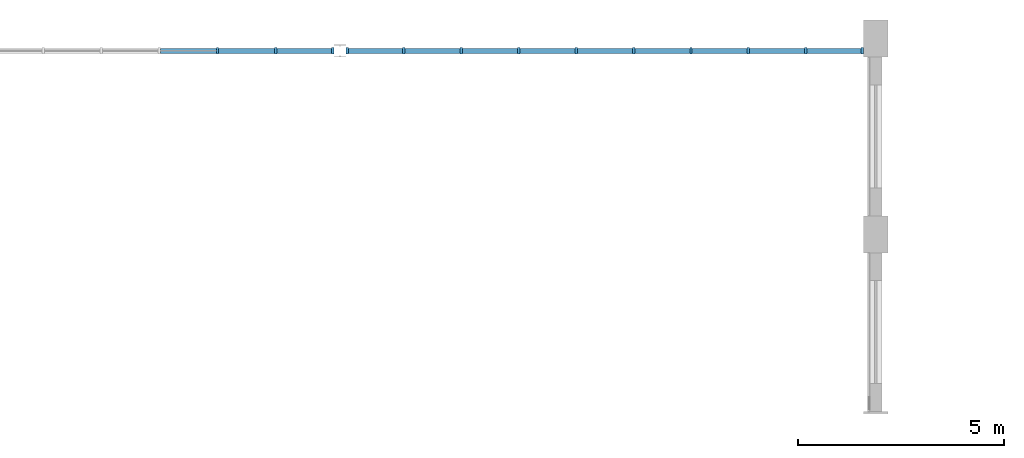
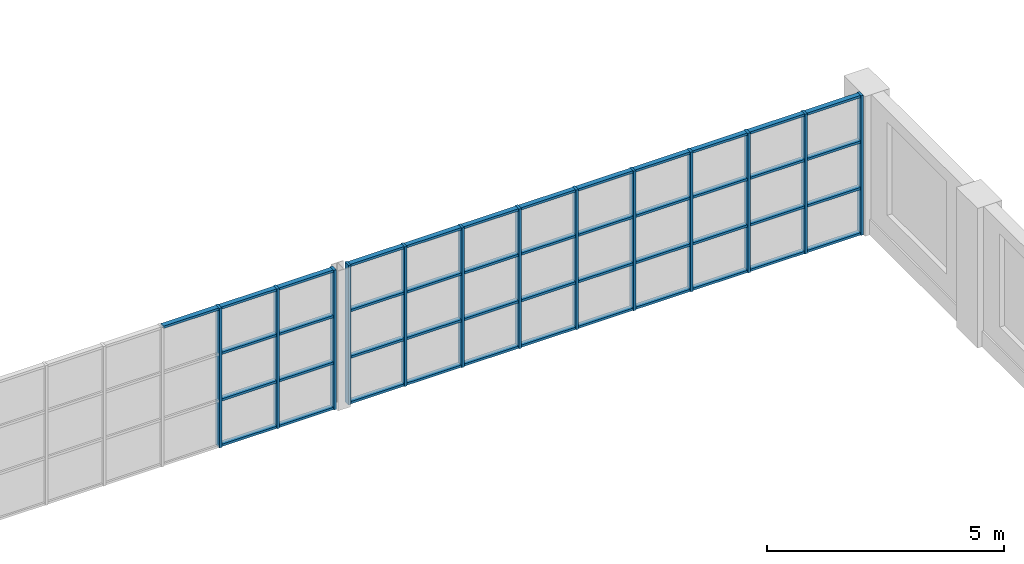
# One storey, part 12 of 70: 58 members, 2 elements without a shape of their own.
"""IFC4 building model written with IfcOpenShell, lengths in metres."""

from ifc_helpers import new_model, si_unit, direction, frame, origin, origin_2d, place, context, subcontext, project, spatial, rectangle, extrude, material, material_profile, profile_set, type_object, element, aggregate, save


model = new_model("IFC4")

# Units and contexts
model_context = context("Model", 3, precision=1e-05, world=origin(), true_north=direction((0.0, 1.0)))
body_context = subcontext(model_context, "Body", "Model", "MODEL_VIEW")
ifc_project = project(units=[si_unit("LENGTHUNIT", "METRE"), si_unit("AREAUNIT", "SQUARE_METRE"), si_unit("VOLUMEUNIT", "CUBIC_METRE"), si_unit("PLANEANGLEUNIT", "RADIAN"), si_unit("MASSUNIT", "GRAM", prefix="KILO")], contexts=[model_context])

# Site, building, storey
site_placement = place(None, origin())
site = spatial("IfcSite", under=ifc_project, at=site_placement, CompositionType="ELEMENT")
building_placement = place(site_placement, origin())
building = spatial("IfcBuilding", under=site, at=building_placement, Name="Elbe Cascade School", CompositionType="ELEMENT")
storey_placement = place(building_placement, frame((0.0, 0.0, 8.10009765625)))
storey = spatial("IfcBuildingStorey", under=building, at=storey_placement, Name="L02", CompositionType="ELEMENT", Elevation=8.10009765625)

# Curtain wall, members
ifc_material_1 = material(Name="Glass - double glazed low-E", Category="glass")
curtain_wall_type = type_object("IfcCurtainWallType", Name="Hall gable curtain wall", PredefinedType="NOTDEFINED", material=ifc_material_1)
curtain_wall_1_placement = place(storey_placement, origin())
curtain_wall_1 = element("IfcCurtainWall", 1, at=curtain_wall_1_placement, inside=storey, type_object=curtain_wall_type, Name="Gable curtain wall N3", PredefinedType="NOTDEFINED")
ifc_material_2 = material(Name="Aluminium - bronze anodised", Category="aluminium")
ifc_material_profile_1 = material_profile(ifc_material_2, rectangle(XDim=0.159912109375, YDim=0.06005859375, at=origin_2d()), Name="Alu 60x160")
ifc_profile_set_1 = profile_set([ifc_material_profile_1], Name="Aluminium - bronze anodised")
member_type_1 = type_object("IfcMemberType", Name="Hall gable mullion 60x160", PredefinedType="MULLION", material=ifc_profile_set_1)
member_1_placement = place(storey_placement, frame((44.02783203125, 69.199951171875, 0.0), z_axis=(0.0, 0.0, 1.0), x_axis=(0.0, 1.0, 0.0)))
member_1 = element("IfcMember", 2, at=member_1_placement, type_object=member_type_1, Name="CW6 mullion 8", PredefinedType="MULLION", context=body_context, shape_type="SweptSolid", body=[
    extrude(rectangle(XDim=0.159912109375, YDim=0.06005859375, at=origin_2d()), origin(), (0.0, 0.0, 1.0), 3.599853515625),
])
member_2_placement = place(storey_placement, frame((45.43896484375, 69.199951171875, 0.0), z_axis=(0.0, 0.0, 1.0), x_axis=(0.0, 1.0, 0.0)))
member_2 = element("IfcMember", 3, at=member_2_placement, type_object=member_type_1, Name="CW6 mullion 9", PredefinedType="MULLION", context=body_context, shape_type="SweptSolid", body=[
    extrude(rectangle(XDim=0.159912109375, YDim=0.06005859375, at=origin_2d()), origin(), (0.0, 0.0, 1.0), 3.599853515625),
])
member_3_placement = place(storey_placement, frame((46.820068359375, 69.199951171875, 0.0), z_axis=(0.0, 0.0, 1.0), x_axis=(0.0, 1.0, 0.0)))
member_3 = element("IfcMember", 4, at=member_3_placement, type_object=member_type_1, Name="CW6 mullion 10", PredefinedType="MULLION", context=body_context, shape_type="SweptSolid", body=[
    extrude(rectangle(XDim=0.159912109375, YDim=0.06005859375, at=origin_2d()), origin(), (0.0, 0.0, 1.0), 3.599853515625),
])

curtain_wall_2_placement = place(storey_placement, origin())
curtain_wall_2 = element("IfcCurtainWall", 5, at=curtain_wall_2_placement, inside=storey, type_object=curtain_wall_type, Name="Gable curtain wall N4", PredefinedType="NOTDEFINED")
member_4_placement = place(storey_placement, frame((47.179931640625, 69.199951171875, 0.0), z_axis=(0.0, 0.0, 1.0), x_axis=(0.0, 1.0, 0.0)))
member_4 = element("IfcMember", 6, at=member_4_placement, type_object=member_type_1, Name="CW6 mullion 1", PredefinedType="MULLION", context=body_context, shape_type="SweptSolid", body=[
    extrude(rectangle(XDim=0.159912109375, YDim=0.06005859375, at=origin_2d()), origin(), (0.0, 0.0, 1.0), 3.599853515625),
])
member_5_placement = place(storey_placement, frame((48.54443359375, 69.199951171875, 0.0), z_axis=(0.0, 0.0, 1.0), x_axis=(0.0, 1.0, 0.0)))
member_5 = element("IfcMember", 7, at=member_5_placement, type_object=member_type_1, Name="CW6 mullion 2", PredefinedType="MULLION", context=body_context, shape_type="SweptSolid", body=[
    extrude(rectangle(XDim=0.159912109375, YDim=0.06005859375, at=origin_2d()), origin(), (0.0, 0.0, 1.0), 3.599853515625),
])
member_6_placement = place(storey_placement, frame((49.93896484375, 69.199951171875, 0.0), z_axis=(0.0, 0.0, 1.0), x_axis=(0.0, 1.0, 0.0)))
member_6 = element("IfcMember", 8, at=member_6_placement, type_object=member_type_1, Name="CW6 mullion 3", PredefinedType="MULLION", context=body_context, shape_type="SweptSolid", body=[
    extrude(rectangle(XDim=0.159912109375, YDim=0.06005859375, at=origin_2d()), origin(), (0.0, 0.0, 1.0), 3.599853515625),
])
member_7_placement = place(storey_placement, frame((51.333251953125, 69.199951171875, 0.0), z_axis=(0.0, 0.0, 1.0), x_axis=(0.0, 1.0, 0.0)))
member_7 = element("IfcMember", 9, at=member_7_placement, type_object=member_type_1, Name="CW6 mullion 4", PredefinedType="MULLION", context=body_context, shape_type="SweptSolid", body=[
    extrude(rectangle(XDim=0.159912109375, YDim=0.06005859375, at=origin_2d()), origin(), (0.0, 0.0, 1.0), 3.599853515625),
])
member_8_placement = place(storey_placement, frame((52.727783203125, 69.199951171875, 0.0), z_axis=(0.0, 0.0, 1.0), x_axis=(0.0, 1.0, 0.0)))
member_8 = element("IfcMember", 10, at=member_8_placement, type_object=member_type_1, Name="CW6 mullion 5", PredefinedType="MULLION", context=body_context, shape_type="SweptSolid", body=[
    extrude(rectangle(XDim=0.159912109375, YDim=0.06005859375, at=origin_2d()), origin(), (0.0, 0.0, 1.0), 3.599853515625),
])
member_9_placement = place(storey_placement, frame((54.122314453125, 69.199951171875, 0.0), z_axis=(0.0, 0.0, 1.0), x_axis=(0.0, 1.0, 0.0)))
member_9 = element("IfcMember", 11, at=member_9_placement, type_object=member_type_1, Name="CW6 mullion 6", PredefinedType="MULLION", context=body_context, shape_type="SweptSolid", body=[
    extrude(rectangle(XDim=0.159912109375, YDim=0.06005859375, at=origin_2d()), origin(), (0.0, 0.0, 1.0), 3.599853515625),
])
member_10_placement = place(storey_placement, frame((55.5166015625, 69.199951171875, 0.0), z_axis=(0.0, 0.0, 1.0), x_axis=(0.0, 1.0, 0.0)))
member_10 = element("IfcMember", 12, at=member_10_placement, type_object=member_type_1, Name="CW6 mullion 7", PredefinedType="MULLION", context=body_context, shape_type="SweptSolid", body=[
    extrude(rectangle(XDim=0.159912109375, YDim=0.06005859375, at=origin_2d()), origin(), (0.0, 0.0, 1.0), 3.599853515625),
])
member_11_placement = place(storey_placement, frame((56.9111328125, 69.199951171875, 0.0), z_axis=(0.0, 0.0, 1.0), x_axis=(0.0, 1.0, 0.0)))
member_11 = element("IfcMember", 13, at=member_11_placement, type_object=member_type_1, Name="CW6 mullion 8", PredefinedType="MULLION", context=body_context, shape_type="SweptSolid", body=[
    extrude(rectangle(XDim=0.159912109375, YDim=0.06005859375, at=origin_2d()), origin(), (0.0, 0.0, 1.0), 3.599853515625),
])
member_12_placement = place(storey_placement, frame((58.3056640625, 69.199951171875, 0.0), z_axis=(0.0, 0.0, 1.0), x_axis=(0.0, 1.0, 0.0)))
member_12 = element("IfcMember", 14, at=member_12_placement, type_object=member_type_1, Name="CW6 mullion 9", PredefinedType="MULLION", context=body_context, shape_type="SweptSolid", body=[
    extrude(rectangle(XDim=0.159912109375, YDim=0.06005859375, at=origin_2d()), origin(), (0.0, 0.0, 1.0), 3.599853515625),
])
member_13_placement = place(storey_placement, frame((59.669921875, 69.199951171875, 0.0), z_axis=(0.0, 0.0, 1.0), x_axis=(0.0, 1.0, 0.0)))
member_13 = element("IfcMember", 15, at=member_13_placement, type_object=member_type_1, Name="CW6 mullion 10", PredefinedType="MULLION", context=body_context, shape_type="SweptSolid", body=[
    extrude(rectangle(XDim=0.159912109375, YDim=0.06005859375, at=origin_2d()), origin(), (0.0, 0.0, 1.0), 3.599853515625),
])

# Member
ifc_material_3 = material(Name="Aluminium - bronze anodised", Category="aluminium")
ifc_material_profile_2 = material_profile(ifc_material_3, rectangle(XDim=0.1201171875, YDim=0.06005859375, at=origin_2d()), Name="Alu 60x120")
ifc_profile_set_2 = profile_set([ifc_material_profile_2], Name="Aluminium - bronze anodised")
member_type_2 = type_object("IfcMemberType", Name="Hall gable transom 60x120", PredefinedType="USERDEFINED", material=ifc_profile_set_2)
member_14_placement = place(storey_placement, frame((42.646728515625, 69.199951171875, 3.56982421875), z_axis=(1.0, 0.0, 0.0), x_axis=(0.0, 1.0, 0.0)))
member_14 = element("IfcMember", 16, at=member_14_placement, type_object=member_type_2, Name="CW6 transom 7.4", ObjectType="TRANSOM", PredefinedType="USERDEFINED", context=body_context, shape_type="SweptSolid", body=[
    extrude(rectangle(XDim=0.1201171875, YDim=0.06005859375, at=origin_2d()), origin(), (0.0, 0.0, 1.0), 1.35107421875),
])

member_15_placement = place(storey_placement, frame((44.057861328125, 69.199951171875, 0.02978515625), z_axis=(1.0, 0.0, 0.0), x_axis=(0.0, 1.0, 0.0)))
member_15 = element("IfcMember", 17, at=member_15_placement, type_object=member_type_2, Name="CW6 transom 8.1", ObjectType="TRANSOM", PredefinedType="USERDEFINED", context=body_context, shape_type="SweptSolid", body=[
    extrude(rectangle(XDim=0.1201171875, YDim=0.06005859375, at=origin_2d()), origin(), (0.0, 0.0, 1.0), 1.35107421875),
])

member_16_placement = place(storey_placement, frame((44.057861328125, 69.199951171875, 1.199951171875), z_axis=(1.0, 0.0, 0.0), x_axis=(0.0, 1.0, 0.0)))
member_16 = element("IfcMember", 18, at=member_16_placement, type_object=member_type_2, Name="CW6 transom 8.2", ObjectType="TRANSOM", PredefinedType="USERDEFINED", context=body_context, shape_type="SweptSolid", body=[
    extrude(rectangle(XDim=0.1201171875, YDim=0.06005859375, at=origin_2d()), origin(), (0.0, 0.0, 1.0), 1.35107421875),
])

member_17_placement = place(storey_placement, frame((44.057861328125, 69.199951171875, 2.39990234375), z_axis=(1.0, 0.0, 0.0), x_axis=(0.0, 1.0, 0.0)))
member_17 = element("IfcMember", 19, at=member_17_placement, type_object=member_type_2, Name="CW6 transom 8.3", ObjectType="TRANSOM", PredefinedType="USERDEFINED", context=body_context, shape_type="SweptSolid", body=[
    extrude(rectangle(XDim=0.1201171875, YDim=0.06005859375, at=origin_2d()), origin(), (0.0, 0.0, 1.0), 1.35107421875),
])

member_18_placement = place(storey_placement, frame((44.057861328125, 69.199951171875, 3.56982421875), z_axis=(1.0, 0.0, 0.0), x_axis=(0.0, 1.0, 0.0)))
member_18 = element("IfcMember", 20, at=member_18_placement, type_object=member_type_2, Name="CW6 transom 8.4", ObjectType="TRANSOM", PredefinedType="USERDEFINED", context=body_context, shape_type="SweptSolid", body=[
    extrude(rectangle(XDim=0.1201171875, YDim=0.06005859375, at=origin_2d()), origin(), (0.0, 0.0, 1.0), 1.35107421875),
])

member_19_placement = place(storey_placement, frame((45.468994140625, 69.199951171875, 0.02978515625), z_axis=(1.0, 0.0, 0.0), x_axis=(0.0, 1.0, 0.0)))
member_19 = element("IfcMember", 21, at=member_19_placement, type_object=member_type_2, Name="CW6 transom 9.1", ObjectType="TRANSOM", PredefinedType="USERDEFINED", context=body_context, shape_type="SweptSolid", body=[
    extrude(rectangle(XDim=0.1201171875, YDim=0.06005859375, at=origin_2d()), origin(), (0.0, 0.0, 1.0), 1.321044921875),
])

member_20_placement = place(storey_placement, frame((45.468994140625, 69.199951171875, 1.199951171875), z_axis=(1.0, 0.0, 0.0), x_axis=(0.0, 1.0, 0.0)))
member_20 = element("IfcMember", 22, at=member_20_placement, type_object=member_type_2, Name="CW6 transom 9.2", ObjectType="TRANSOM", PredefinedType="USERDEFINED", context=body_context, shape_type="SweptSolid", body=[
    extrude(rectangle(XDim=0.1201171875, YDim=0.06005859375, at=origin_2d()), origin(), (0.0, 0.0, 1.0), 1.321044921875),
])

member_21_placement = place(storey_placement, frame((45.468994140625, 69.199951171875, 2.39990234375), z_axis=(1.0, 0.0, 0.0), x_axis=(0.0, 1.0, 0.0)))
member_21 = element("IfcMember", 23, at=member_21_placement, type_object=member_type_2, Name="CW6 transom 9.3", ObjectType="TRANSOM", PredefinedType="USERDEFINED", context=body_context, shape_type="SweptSolid", body=[
    extrude(rectangle(XDim=0.1201171875, YDim=0.06005859375, at=origin_2d()), origin(), (0.0, 0.0, 1.0), 1.321044921875),
])

member_22_placement = place(storey_placement, frame((45.468994140625, 69.199951171875, 3.56982421875), z_axis=(1.0, 0.0, 0.0), x_axis=(0.0, 1.0, 0.0)))
member_22 = element("IfcMember", 24, at=member_22_placement, type_object=member_type_2, Name="CW6 transom 9.4", ObjectType="TRANSOM", PredefinedType="USERDEFINED", context=body_context, shape_type="SweptSolid", body=[
    extrude(rectangle(XDim=0.1201171875, YDim=0.06005859375, at=origin_2d()), origin(), (0.0, 0.0, 1.0), 1.321044921875),
])

aggregate(curtain_wall_1, [member_1, member_2, member_3, member_14, member_15, member_16, member_17, member_18, member_19, member_20, member_21, member_22])

member_23_placement = place(storey_placement, frame((47.2099609375, 69.199951171875, 0.02978515625), z_axis=(1.0, 0.0, 0.0), x_axis=(0.0, 1.0, 0.0)))
member_23 = element("IfcMember", 25, at=member_23_placement, type_object=member_type_2, Name="CW6 transom 1.1", ObjectType="TRANSOM", PredefinedType="USERDEFINED", context=body_context, shape_type="SweptSolid", body=[
    extrude(rectangle(XDim=0.1201171875, YDim=0.06005859375, at=origin_2d()), origin(), (0.0, 0.0, 1.0), 1.304443359375),
])

member_24_placement = place(storey_placement, frame((47.2099609375, 69.199951171875, 1.199951171875), z_axis=(1.0, 0.0, 0.0), x_axis=(0.0, 1.0, 0.0)))
member_24 = element("IfcMember", 26, at=member_24_placement, type_object=member_type_2, Name="CW6 transom 1.2", ObjectType="TRANSOM", PredefinedType="USERDEFINED", context=body_context, shape_type="SweptSolid", body=[
    extrude(rectangle(XDim=0.1201171875, YDim=0.06005859375, at=origin_2d()), origin(), (0.0, 0.0, 1.0), 1.304443359375),
])

member_25_placement = place(storey_placement, frame((47.2099609375, 69.199951171875, 2.39990234375), z_axis=(1.0, 0.0, 0.0), x_axis=(0.0, 1.0, 0.0)))
member_25 = element("IfcMember", 27, at=member_25_placement, type_object=member_type_2, Name="CW6 transom 1.3", ObjectType="TRANSOM", PredefinedType="USERDEFINED", context=body_context, shape_type="SweptSolid", body=[
    extrude(rectangle(XDim=0.1201171875, YDim=0.06005859375, at=origin_2d()), origin(), (0.0, 0.0, 1.0), 1.304443359375),
])

member_26_placement = place(storey_placement, frame((47.2099609375, 69.199951171875, 3.56982421875), z_axis=(1.0, 0.0, 0.0), x_axis=(0.0, 1.0, 0.0)))
member_26 = element("IfcMember", 28, at=member_26_placement, type_object=member_type_2, Name="CW6 transom 1.4", ObjectType="TRANSOM", PredefinedType="USERDEFINED", context=body_context, shape_type="SweptSolid", body=[
    extrude(rectangle(XDim=0.1201171875, YDim=0.06005859375, at=origin_2d()), origin(), (0.0, 0.0, 1.0), 1.304443359375),
])

member_27_placement = place(storey_placement, frame((48.574462890625, 69.199951171875, 0.02978515625), z_axis=(1.0, 0.0, 0.0), x_axis=(0.0, 1.0, 0.0)))
member_27 = element("IfcMember", 29, at=member_27_placement, type_object=member_type_2, Name="CW6 transom 2.1", ObjectType="TRANSOM", PredefinedType="USERDEFINED", context=body_context, shape_type="SweptSolid", body=[
    extrude(rectangle(XDim=0.1201171875, YDim=0.06005859375, at=origin_2d()), origin(), (0.0, 0.0, 1.0), 1.33447265625),
])

member_28_placement = place(storey_placement, frame((48.574462890625, 69.199951171875, 1.199951171875), z_axis=(1.0, 0.0, 0.0), x_axis=(0.0, 1.0, 0.0)))
member_28 = element("IfcMember", 30, at=member_28_placement, type_object=member_type_2, Name="CW6 transom 2.2", ObjectType="TRANSOM", PredefinedType="USERDEFINED", context=body_context, shape_type="SweptSolid", body=[
    extrude(rectangle(XDim=0.1201171875, YDim=0.06005859375, at=origin_2d()), origin(), (0.0, 0.0, 1.0), 1.33447265625),
])

member_29_placement = place(storey_placement, frame((48.574462890625, 69.199951171875, 2.39990234375), z_axis=(1.0, 0.0, 0.0), x_axis=(0.0, 1.0, 0.0)))
member_29 = element("IfcMember", 31, at=member_29_placement, type_object=member_type_2, Name="CW6 transom 2.3", ObjectType="TRANSOM", PredefinedType="USERDEFINED", context=body_context, shape_type="SweptSolid", body=[
    extrude(rectangle(XDim=0.1201171875, YDim=0.06005859375, at=origin_2d()), origin(), (0.0, 0.0, 1.0), 1.33447265625),
])

member_30_placement = place(storey_placement, frame((48.574462890625, 69.199951171875, 3.56982421875), z_axis=(1.0, 0.0, 0.0), x_axis=(0.0, 1.0, 0.0)))
member_30 = element("IfcMember", 32, at=member_30_placement, type_object=member_type_2, Name="CW6 transom 2.4", ObjectType="TRANSOM", PredefinedType="USERDEFINED", context=body_context, shape_type="SweptSolid", body=[
    extrude(rectangle(XDim=0.1201171875, YDim=0.06005859375, at=origin_2d()), origin(), (0.0, 0.0, 1.0), 1.33447265625),
])

member_31_placement = place(storey_placement, frame((49.968994140625, 69.199951171875, 0.02978515625), z_axis=(1.0, 0.0, 0.0), x_axis=(0.0, 1.0, 0.0)))
member_31 = element("IfcMember", 33, at=member_31_placement, type_object=member_type_2, Name="CW6 transom 3.1", ObjectType="TRANSOM", PredefinedType="USERDEFINED", context=body_context, shape_type="SweptSolid", body=[
    extrude(rectangle(XDim=0.1201171875, YDim=0.06005859375, at=origin_2d()), origin(), (0.0, 0.0, 1.0), 1.334228515625),
])

member_32_placement = place(storey_placement, frame((49.968994140625, 69.199951171875, 1.199951171875), z_axis=(1.0, 0.0, 0.0), x_axis=(0.0, 1.0, 0.0)))
member_32 = element("IfcMember", 34, at=member_32_placement, type_object=member_type_2, Name="CW6 transom 3.2", ObjectType="TRANSOM", PredefinedType="USERDEFINED", context=body_context, shape_type="SweptSolid", body=[
    extrude(rectangle(XDim=0.1201171875, YDim=0.06005859375, at=origin_2d()), origin(), (0.0, 0.0, 1.0), 1.334228515625),
])

member_33_placement = place(storey_placement, frame((49.968994140625, 69.199951171875, 2.39990234375), z_axis=(1.0, 0.0, 0.0), x_axis=(0.0, 1.0, 0.0)))
member_33 = element("IfcMember", 35, at=member_33_placement, type_object=member_type_2, Name="CW6 transom 3.3", ObjectType="TRANSOM", PredefinedType="USERDEFINED", context=body_context, shape_type="SweptSolid", body=[
    extrude(rectangle(XDim=0.1201171875, YDim=0.06005859375, at=origin_2d()), origin(), (0.0, 0.0, 1.0), 1.334228515625),
])

member_34_placement = place(storey_placement, frame((49.968994140625, 69.199951171875, 3.56982421875), z_axis=(1.0, 0.0, 0.0), x_axis=(0.0, 1.0, 0.0)))
member_34 = element("IfcMember", 36, at=member_34_placement, type_object=member_type_2, Name="CW6 transom 3.4", ObjectType="TRANSOM", PredefinedType="USERDEFINED", context=body_context, shape_type="SweptSolid", body=[
    extrude(rectangle(XDim=0.1201171875, YDim=0.06005859375, at=origin_2d()), origin(), (0.0, 0.0, 1.0), 1.334228515625),
])

member_35_placement = place(storey_placement, frame((51.36328125, 69.199951171875, 0.02978515625), z_axis=(1.0, 0.0, 0.0), x_axis=(0.0, 1.0, 0.0)))
member_35 = element("IfcMember", 37, at=member_35_placement, type_object=member_type_2, Name="CW6 transom 4.1", ObjectType="TRANSOM", PredefinedType="USERDEFINED", context=body_context, shape_type="SweptSolid", body=[
    extrude(rectangle(XDim=0.1201171875, YDim=0.06005859375, at=origin_2d()), origin(), (0.0, 0.0, 1.0), 1.33447265625),
])

member_36_placement = place(storey_placement, frame((51.36328125, 69.199951171875, 1.199951171875), z_axis=(1.0, 0.0, 0.0), x_axis=(0.0, 1.0, 0.0)))
member_36 = element("IfcMember", 38, at=member_36_placement, type_object=member_type_2, Name="CW6 transom 4.2", ObjectType="TRANSOM", PredefinedType="USERDEFINED", context=body_context, shape_type="SweptSolid", body=[
    extrude(rectangle(XDim=0.1201171875, YDim=0.06005859375, at=origin_2d()), origin(), (0.0, 0.0, 1.0), 1.33447265625),
])

member_37_placement = place(storey_placement, frame((51.36328125, 69.199951171875, 2.39990234375), z_axis=(1.0, 0.0, 0.0), x_axis=(0.0, 1.0, 0.0)))
member_37 = element("IfcMember", 39, at=member_37_placement, type_object=member_type_2, Name="CW6 transom 4.3", ObjectType="TRANSOM", PredefinedType="USERDEFINED", context=body_context, shape_type="SweptSolid", body=[
    extrude(rectangle(XDim=0.1201171875, YDim=0.06005859375, at=origin_2d()), origin(), (0.0, 0.0, 1.0), 1.33447265625),
])

member_38_placement = place(storey_placement, frame((51.36328125, 69.199951171875, 3.56982421875), z_axis=(1.0, 0.0, 0.0), x_axis=(0.0, 1.0, 0.0)))
member_38 = element("IfcMember", 40, at=member_38_placement, type_object=member_type_2, Name="CW6 transom 4.4", ObjectType="TRANSOM", PredefinedType="USERDEFINED", context=body_context, shape_type="SweptSolid", body=[
    extrude(rectangle(XDim=0.1201171875, YDim=0.06005859375, at=origin_2d()), origin(), (0.0, 0.0, 1.0), 1.33447265625),
])

member_39_placement = place(storey_placement, frame((52.7578125, 69.199951171875, 0.02978515625), z_axis=(1.0, 0.0, 0.0), x_axis=(0.0, 1.0, 0.0)))
member_39 = element("IfcMember", 41, at=member_39_placement, type_object=member_type_2, Name="CW6 transom 5.1", ObjectType="TRANSOM", PredefinedType="USERDEFINED", context=body_context, shape_type="SweptSolid", body=[
    extrude(rectangle(XDim=0.1201171875, YDim=0.06005859375, at=origin_2d()), origin(), (0.0, 0.0, 1.0), 1.33447265625),
])

member_40_placement = place(storey_placement, frame((52.7578125, 69.199951171875, 1.199951171875), z_axis=(1.0, 0.0, 0.0), x_axis=(0.0, 1.0, 0.0)))
member_40 = element("IfcMember", 42, at=member_40_placement, type_object=member_type_2, Name="CW6 transom 5.2", ObjectType="TRANSOM", PredefinedType="USERDEFINED", context=body_context, shape_type="SweptSolid", body=[
    extrude(rectangle(XDim=0.1201171875, YDim=0.06005859375, at=origin_2d()), origin(), (0.0, 0.0, 1.0), 1.33447265625),
])

member_41_placement = place(storey_placement, frame((52.7578125, 69.199951171875, 2.39990234375), z_axis=(1.0, 0.0, 0.0), x_axis=(0.0, 1.0, 0.0)))
member_41 = element("IfcMember", 43, at=member_41_placement, type_object=member_type_2, Name="CW6 transom 5.3", ObjectType="TRANSOM", PredefinedType="USERDEFINED", context=body_context, shape_type="SweptSolid", body=[
    extrude(rectangle(XDim=0.1201171875, YDim=0.06005859375, at=origin_2d()), origin(), (0.0, 0.0, 1.0), 1.33447265625),
])

member_42_placement = place(storey_placement, frame((52.7578125, 69.199951171875, 3.56982421875), z_axis=(1.0, 0.0, 0.0), x_axis=(0.0, 1.0, 0.0)))
member_42 = element("IfcMember", 44, at=member_42_placement, type_object=member_type_2, Name="CW6 transom 5.4", ObjectType="TRANSOM", PredefinedType="USERDEFINED", context=body_context, shape_type="SweptSolid", body=[
    extrude(rectangle(XDim=0.1201171875, YDim=0.06005859375, at=origin_2d()), origin(), (0.0, 0.0, 1.0), 1.33447265625),
])

member_43_placement = place(storey_placement, frame((54.15234375, 69.199951171875, 0.02978515625), z_axis=(1.0, 0.0, 0.0), x_axis=(0.0, 1.0, 0.0)))
member_43 = element("IfcMember", 45, at=member_43_placement, type_object=member_type_2, Name="CW6 transom 6.1", ObjectType="TRANSOM", PredefinedType="USERDEFINED", context=body_context, shape_type="SweptSolid", body=[
    extrude(rectangle(XDim=0.1201171875, YDim=0.06005859375, at=origin_2d()), origin(), (0.0, 0.0, 1.0), 1.334228515625),
])

member_44_placement = place(storey_placement, frame((54.15234375, 69.199951171875, 1.199951171875), z_axis=(1.0, 0.0, 0.0), x_axis=(0.0, 1.0, 0.0)))
member_44 = element("IfcMember", 46, at=member_44_placement, type_object=member_type_2, Name="CW6 transom 6.2", ObjectType="TRANSOM", PredefinedType="USERDEFINED", context=body_context, shape_type="SweptSolid", body=[
    extrude(rectangle(XDim=0.1201171875, YDim=0.06005859375, at=origin_2d()), origin(), (0.0, 0.0, 1.0), 1.334228515625),
])

member_45_placement = place(storey_placement, frame((54.15234375, 69.199951171875, 2.39990234375), z_axis=(1.0, 0.0, 0.0), x_axis=(0.0, 1.0, 0.0)))
member_45 = element("IfcMember", 47, at=member_45_placement, type_object=member_type_2, Name="CW6 transom 6.3", ObjectType="TRANSOM", PredefinedType="USERDEFINED", context=body_context, shape_type="SweptSolid", body=[
    extrude(rectangle(XDim=0.1201171875, YDim=0.06005859375, at=origin_2d()), origin(), (0.0, 0.0, 1.0), 1.334228515625),
])

member_46_placement = place(storey_placement, frame((54.15234375, 69.199951171875, 3.56982421875), z_axis=(1.0, 0.0, 0.0), x_axis=(0.0, 1.0, 0.0)))
member_46 = element("IfcMember", 48, at=member_46_placement, type_object=member_type_2, Name="CW6 transom 6.4", ObjectType="TRANSOM", PredefinedType="USERDEFINED", context=body_context, shape_type="SweptSolid", body=[
    extrude(rectangle(XDim=0.1201171875, YDim=0.06005859375, at=origin_2d()), origin(), (0.0, 0.0, 1.0), 1.334228515625),
])

member_47_placement = place(storey_placement, frame((55.546630859375, 69.199951171875, 0.02978515625), z_axis=(1.0, 0.0, 0.0), x_axis=(0.0, 1.0, 0.0)))
member_47 = element("IfcMember", 49, at=member_47_placement, type_object=member_type_2, Name="CW6 transom 7.1", ObjectType="TRANSOM", PredefinedType="USERDEFINED", context=body_context, shape_type="SweptSolid", body=[
    extrude(rectangle(XDim=0.1201171875, YDim=0.06005859375, at=origin_2d()), origin(), (0.0, 0.0, 1.0), 1.33447265625),
])

member_48_placement = place(storey_placement, frame((55.546630859375, 69.199951171875, 1.199951171875), z_axis=(1.0, 0.0, 0.0), x_axis=(0.0, 1.0, 0.0)))
member_48 = element("IfcMember", 50, at=member_48_placement, type_object=member_type_2, Name="CW6 transom 7.2", ObjectType="TRANSOM", PredefinedType="USERDEFINED", context=body_context, shape_type="SweptSolid", body=[
    extrude(rectangle(XDim=0.1201171875, YDim=0.06005859375, at=origin_2d()), origin(), (0.0, 0.0, 1.0), 1.33447265625),
])

member_49_placement = place(storey_placement, frame((55.546630859375, 69.199951171875, 2.39990234375), z_axis=(1.0, 0.0, 0.0), x_axis=(0.0, 1.0, 0.0)))
member_49 = element("IfcMember", 51, at=member_49_placement, type_object=member_type_2, Name="CW6 transom 7.3", ObjectType="TRANSOM", PredefinedType="USERDEFINED", context=body_context, shape_type="SweptSolid", body=[
    extrude(rectangle(XDim=0.1201171875, YDim=0.06005859375, at=origin_2d()), origin(), (0.0, 0.0, 1.0), 1.33447265625),
])

member_50_placement = place(storey_placement, frame((55.546630859375, 69.199951171875, 3.56982421875), z_axis=(1.0, 0.0, 0.0), x_axis=(0.0, 1.0, 0.0)))
member_50 = element("IfcMember", 52, at=member_50_placement, type_object=member_type_2, Name="CW6 transom 7.4", ObjectType="TRANSOM", PredefinedType="USERDEFINED", context=body_context, shape_type="SweptSolid", body=[
    extrude(rectangle(XDim=0.1201171875, YDim=0.06005859375, at=origin_2d()), origin(), (0.0, 0.0, 1.0), 1.33447265625),
])

member_51_placement = place(storey_placement, frame((56.941162109375, 69.199951171875, 0.02978515625), z_axis=(1.0, 0.0, 0.0), x_axis=(0.0, 1.0, 0.0)))
member_51 = element("IfcMember", 53, at=member_51_placement, type_object=member_type_2, Name="CW6 transom 8.1", ObjectType="TRANSOM", PredefinedType="USERDEFINED", context=body_context, shape_type="SweptSolid", body=[
    extrude(rectangle(XDim=0.1201171875, YDim=0.06005859375, at=origin_2d()), origin(), (0.0, 0.0, 1.0), 1.33447265625),
])

member_52_placement = place(storey_placement, frame((56.941162109375, 69.199951171875, 1.199951171875), z_axis=(1.0, 0.0, 0.0), x_axis=(0.0, 1.0, 0.0)))
member_52 = element("IfcMember", 54, at=member_52_placement, type_object=member_type_2, Name="CW6 transom 8.2", ObjectType="TRANSOM", PredefinedType="USERDEFINED", context=body_context, shape_type="SweptSolid", body=[
    extrude(rectangle(XDim=0.1201171875, YDim=0.06005859375, at=origin_2d()), origin(), (0.0, 0.0, 1.0), 1.33447265625),
])

member_53_placement = place(storey_placement, frame((56.941162109375, 69.199951171875, 2.39990234375), z_axis=(1.0, 0.0, 0.0), x_axis=(0.0, 1.0, 0.0)))
member_53 = element("IfcMember", 55, at=member_53_placement, type_object=member_type_2, Name="CW6 transom 8.3", ObjectType="TRANSOM", PredefinedType="USERDEFINED", context=body_context, shape_type="SweptSolid", body=[
    extrude(rectangle(XDim=0.1201171875, YDim=0.06005859375, at=origin_2d()), origin(), (0.0, 0.0, 1.0), 1.33447265625),
])

member_54_placement = place(storey_placement, frame((56.941162109375, 69.199951171875, 3.56982421875), z_axis=(1.0, 0.0, 0.0), x_axis=(0.0, 1.0, 0.0)))
member_54 = element("IfcMember", 56, at=member_54_placement, type_object=member_type_2, Name="CW6 transom 8.4", ObjectType="TRANSOM", PredefinedType="USERDEFINED", context=body_context, shape_type="SweptSolid", body=[
    extrude(rectangle(XDim=0.1201171875, YDim=0.06005859375, at=origin_2d()), origin(), (0.0, 0.0, 1.0), 1.33447265625),
])

member_55_placement = place(storey_placement, frame((58.33544921875, 69.199951171875, 0.02978515625), z_axis=(1.0, 0.0, 0.0), x_axis=(0.0, 1.0, 0.0)))
member_55 = element("IfcMember", 57, at=member_55_placement, type_object=member_type_2, Name="CW6 transom 9.1", ObjectType="TRANSOM", PredefinedType="USERDEFINED", context=body_context, shape_type="SweptSolid", body=[
    extrude(rectangle(XDim=0.1201171875, YDim=0.06005859375, at=origin_2d()), origin(), (0.0, 0.0, 1.0), 1.304443359375),
])

member_56_placement = place(storey_placement, frame((58.33544921875, 69.199951171875, 1.199951171875), z_axis=(1.0, 0.0, 0.0), x_axis=(0.0, 1.0, 0.0)))
member_56 = element("IfcMember", 58, at=member_56_placement, type_object=member_type_2, Name="CW6 transom 9.2", ObjectType="TRANSOM", PredefinedType="USERDEFINED", context=body_context, shape_type="SweptSolid", body=[
    extrude(rectangle(XDim=0.1201171875, YDim=0.06005859375, at=origin_2d()), origin(), (0.0, 0.0, 1.0), 1.304443359375),
])

member_57_placement = place(storey_placement, frame((58.33544921875, 69.199951171875, 2.39990234375), z_axis=(1.0, 0.0, 0.0), x_axis=(0.0, 1.0, 0.0)))
member_57 = element("IfcMember", 59, at=member_57_placement, type_object=member_type_2, Name="CW6 transom 9.3", ObjectType="TRANSOM", PredefinedType="USERDEFINED", context=body_context, shape_type="SweptSolid", body=[
    extrude(rectangle(XDim=0.1201171875, YDim=0.06005859375, at=origin_2d()), origin(), (0.0, 0.0, 1.0), 1.304443359375),
])

member_58_placement = place(storey_placement, frame((58.33544921875, 69.199951171875, 3.56982421875), z_axis=(1.0, 0.0, 0.0), x_axis=(0.0, 1.0, 0.0)))
member_58 = element("IfcMember", 60, at=member_58_placement, type_object=member_type_2, Name="CW6 transom 9.4", ObjectType="TRANSOM", PredefinedType="USERDEFINED", context=body_context, shape_type="SweptSolid", body=[
    extrude(rectangle(XDim=0.1201171875, YDim=0.06005859375, at=origin_2d()), origin(), (0.0, 0.0, 1.0), 1.304443359375),
])

aggregate(curtain_wall_2, [member_4, member_5, member_6, member_7, member_8, member_9, member_10, member_11, member_12, member_13, member_23, member_24, member_25, member_26, member_27, member_28, member_29, member_30, member_31, member_32, member_33, member_34, member_35, member_36, member_37, member_38, member_39, member_40, member_41, member_42, member_43, member_44, member_45, member_46, member_47, member_48, member_49, member_50, member_51, member_52, member_53, member_54, member_55, member_56, member_57, member_58])

save(model, "model.ifc")
